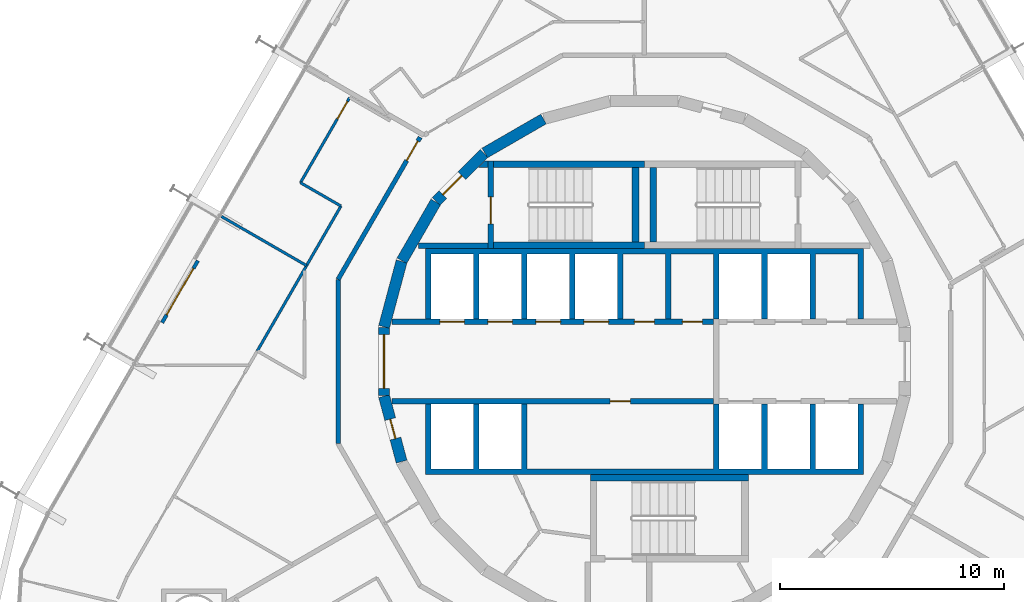
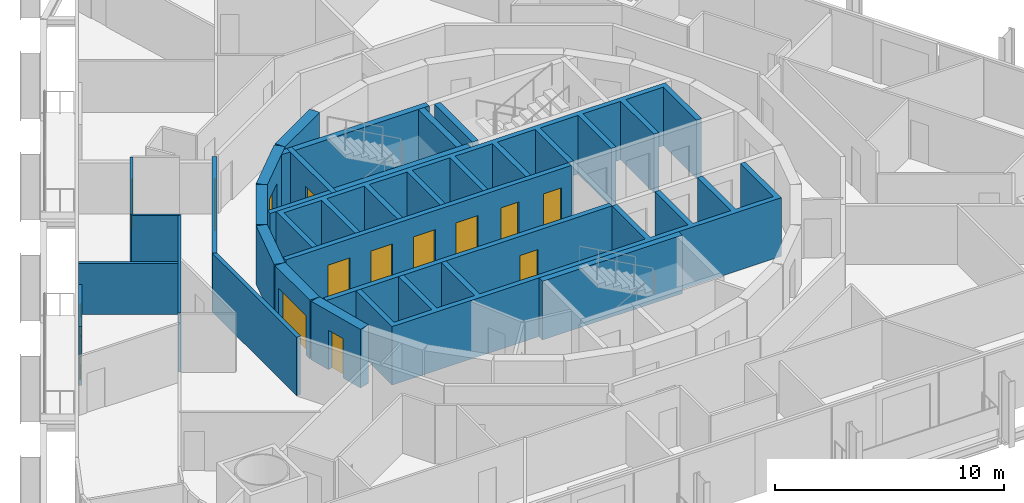
# One storey, part 14 of 19: 25 walls, 14 doors, 14 openings.
"""IFC4 building model written with IfcOpenShell, lengths in metres."""

from ifc_helpers import new_model, si_unit, direction, frame, frame_2d, origin, place, context, subcontext, project, spatial, polyline, rectangle, outline, extrude, material, layer, layer_set, type_object, element, fill, save


model = new_model("IFC4")

# Units and contexts
model_context = context("Model", 3, precision=1e-05, world=origin(), true_north=direction((0.0, 1.0)))
body_context = subcontext(model_context, "Body", "Model", "MODEL_VIEW")
ifc_project = project(units=[si_unit("LENGTHUNIT", "METRE"), si_unit("AREAUNIT", "SQUARE_METRE"), si_unit("VOLUMEUNIT", "CUBIC_METRE"), si_unit("PLANEANGLEUNIT", "RADIAN"), si_unit("MASSUNIT", "GRAM", prefix="KILO")], contexts=[model_context])

# Site, building, storey
site_placement = place(None, origin())
site = spatial("IfcSite", under=ifc_project, at=site_placement, CompositionType="ELEMENT")
building_placement = place(site_placement, origin())
building = spatial("IfcBuilding", under=site, at=building_placement, Name="Spindle Arch Residences", CompositionType="ELEMENT")
storey_placement = place(building_placement, frame((0.0, 0.0, 45.39990234375)))
storey = spatial("IfcBuildingStorey", under=building, at=storey_placement, Name="L09", CompositionType="ELEMENT", Elevation=45.39990234375)

# Wall
ifc_material_1 = material(Name="Concrete C50/60", Category="concrete")
ifc_layer_1 = layer(ifc_material_1, 0.5)
ifc_layer_set_1 = layer_set([ifc_layer_1], Name="Core outline wall 500")
wall_type_1 = type_object("IfcWallType", Name="Core outline wall 500", PredefinedType="SHEAR", material=ifc_layer_set_1)
wall_1_placement = place(storey_placement, frame((-4.510498046875, 10.84521484375, 0.0), z_axis=(0.0, 0.0, 1.0), x_axis=(-0.865975092491, -0.500087131594, 0.0)))
element("IfcWall", 1, at=wall_1_placement, inside=storey, type_object=wall_type_1, Name="Core outline wall 14", PredefinedType="SHEAR", context=body_context, shape_type="SweptSolid", body=[
    extrude(rectangle(XDim=3.03271484375, YDim=0.5, at=frame_2d((1.516357421875, 0.0))), origin(), (0.0, 0.0, 1.0), 3.1201171875),
])

# Wall, opening, door
wall_2_placement = place(storey_placement, frame((-7.163818359375, 9.30810546875, 0.0), z_axis=(0.0, 0.0, 1.0), x_axis=(-0.707106781187, -0.707106781187, 0.0)))
wall_2 = element("IfcWall", 2, at=wall_2_placement, inside=storey, type_object=wall_type_1, Name="Core outline wall 15", PredefinedType="SHEAR", context=body_context, shape_type="SweptSolid", body=[
    extrude(rectangle(XDim=3.032470703125, YDim=0.5, at=frame_2d((1.51611328125, 0.0))), origin(), (0.0, 0.0, 1.0), 3.1201171875),
])
opening_1_placement = place(wall_2_placement, frame((1.416259765625, 0.0, 0.0)))
opening_1 = element("IfcOpeningElement", 3, at=opening_1_placement, cuts=wall_2, Name="Opening R1A0-AD02", PredefinedType="OPENING", context=body_context, shape_type="SweptSolid", body=[
    extrude(rectangle(XDim=1.199951171875, YDim=2.10009765625, at=frame_2d((0.60009765625, 1.050048828125))), frame((0.0, 0.260009765625, 0.0), z_axis=(0.0, -1.0, 0.0), x_axis=(1.0, 0.0, 0.0)), (0.0, 0.0, 1.0), 0.52001953125),
])
ifc_material_2 = material(Name="Steel, fire-resisting door", Category="steel")
door_type_1 = type_object("IfcDoorType", Name="Stair airlock door 1200x2100", OperationType="SINGLE_SWING_LEFT", PredefinedType="DOOR", material=ifc_material_2)
door_1_placement = place(opening_1_placement, origin())
door_1 = element("IfcDoor", 4, at=door_1_placement, inside=storey, type_object=door_type_1, Name="Stair airlock door R1A0-AD02", OperationType="SINGLE_SWING_RIGHT", OverallHeight=2.10009765625, OverallWidth=1.199951171875, PredefinedType="DOOR", context=body_context, shape_type="SweptSolid", body=[
    extrude(rectangle(XDim=1.199951171875, YDim=2.10009765625, at=frame_2d((0.60009765625, 1.050048828125))), frame((0.0, 0.02490234375, 0.0), z_axis=(0.0, -1.0, 0.0), x_axis=(1.0, 0.0, 0.0)), (0.0, 0.0, 1.0), 0.050048828125),
])
fill(opening_1, door_1)

# Walls
for number, where, z_axis, x_axis, name in (
    (5, (-9.32861328125, 7.13671875, 0.0), (0.0, 0.0, 1.0), (-0.500087131594, -0.865975092491, 0.0), "Core outline wall 16"),
    (6, (-10.858154296875, 4.479248046875, 0.0), (0.0, 0.0, 1.0), (-0.258734743916, -0.965948410781, 0.0), "Core outline wall 17"),
):
    element("IfcWall", number, at=place(storey_placement, frame(where, z_axis=z_axis, x_axis=x_axis)), inside=storey, type_object=wall_type_1, Name=name, PredefinedType="SHEAR", context=body_context, shape_type="SweptSolid", body=[
        extrude(rectangle(XDim=3.03271484375, YDim=0.5, at=frame_2d((1.516357421875, 0.0))), origin(), (0.0, 0.0, 1.0), 3.1201171875),
    ])

# Wall, opening, door
wall_3_placement = place(storey_placement, frame((-11.647216796875, 1.516357421875, 0.0), z_axis=(0.0, 0.0, 1.0), x_axis=(0.0, -1.0, 0.0)))
wall_3 = element("IfcWall", 7, at=wall_3_placement, inside=storey, type_object=wall_type_1, Name="Core outline wall 18", PredefinedType="SHEAR", context=body_context, shape_type="SweptSolid", body=[
    extrude(rectangle(XDim=3.03271484375, YDim=0.5, at=frame_2d((1.516357421875, 0.0))), origin(), (0.0, 0.0, 1.0), 3.1201171875),
])
opening_2_placement = place(wall_3_placement, frame((0.31640625, 0.0, 0.0)))
opening_2 = element("IfcOpeningElement", 8, at=opening_2_placement, cuts=wall_3, Name="Opening R1A0-LE01", PredefinedType="OPENING", context=body_context, shape_type="SweptSolid", body=[
    extrude(rectangle(XDim=2.39990234375, YDim=2.10009765625, at=frame_2d((1.199951171875, 1.050048828125))), frame((0.0, 0.260009765625, 0.0), z_axis=(0.0, -1.0, 0.0), x_axis=(1.0, 0.0, 0.0)), (0.0, 0.0, 1.0), 0.52001953125),
])
ifc_material_3 = material(Name="Steel, fire-resisting door", Category="steel")
door_type_2 = type_object("IfcDoorType", Name="Lift lobby entrance door 2400x2100", OperationType="DOUBLE_DOOR_SINGLE_SWING", PredefinedType="DOOR", material=ifc_material_3)
door_2_placement = place(opening_2_placement, origin())
door_2 = element("IfcDoor", 9, at=door_2_placement, inside=storey, type_object=door_type_2, Name="Lift lobby entrance door R1A0-LE01", OperationType="DOUBLE_DOOR_SINGLE_SWING", OverallHeight=2.10009765625, OverallWidth=2.39990234375, PredefinedType="DOOR", context=body_context, shape_type="SweptSolid", body=[
    extrude(rectangle(XDim=2.39990234375, YDim=2.10009765625, at=frame_2d((1.199951171875, 1.050048828125))), frame((0.0, 0.02490234375, 0.0), z_axis=(0.0, -1.0, 0.0), x_axis=(1.0, 0.0, 0.0)), (0.0, 0.0, 1.0), 0.050048828125),
])
fill(opening_2, door_2)

wall_4_placement = place(storey_placement, frame((-11.642822265625, -1.5498046875, 0.0), z_axis=(0.0, 0.0, 1.0), x_axis=(0.258734743916, -0.965948410781, 0.0)))
wall_4 = element("IfcWall", 10, at=wall_4_placement, inside=storey, type_object=wall_type_1, Name="Core outline wall 19", PredefinedType="SHEAR", context=body_context, shape_type="SweptSolid", body=[
    extrude(rectangle(XDim=3.03271484375, YDim=0.5, at=frame_2d((1.516357421875, 0.0))), origin(), (0.0, 0.0, 1.0), 3.1201171875),
])
opening_3_placement = place(wall_4_placement, frame((1.06640625, 0.0, 0.0)))
opening_3 = element("IfcOpeningElement", 11, at=opening_3_placement, cuts=wall_4, Name="Opening R1A0-WD09", PredefinedType="OPENING", context=body_context, shape_type="SweptSolid", body=[
    extrude(rectangle(XDim=0.89990234375, YDim=2.10009765625, at=frame_2d((0.449951171875, 1.050048828125))), frame((0.0, 0.260009765625, 0.0), z_axis=(0.0, -1.0, 0.0), x_axis=(1.0, 0.0, 0.0)), (0.0, 0.0, 1.0), 0.52001953125),
])
ifc_material_4 = material(Name="Steel, fire-resisting door", Category="steel")
door_type_3 = type_object("IfcDoorType", Name="Service room door 900x2100", OperationType="SINGLE_SWING_LEFT", PredefinedType="DOOR", material=ifc_material_4)
door_3_placement = place(opening_3_placement, origin())
door_3 = element("IfcDoor", 12, at=door_3_placement, inside=storey, type_object=door_type_3, Name="Service room door R1A0-WD09", OperationType="SINGLE_SWING_RIGHT", OverallHeight=2.10009765625, OverallWidth=0.89990234375, PredefinedType="DOOR", context=body_context, shape_type="SweptSolid", body=[
    extrude(rectangle(XDim=0.89990234375, YDim=2.10009765625, at=frame_2d((0.449951171875, 1.050048828125))), frame((0.0, 0.02490234375, 0.0), z_axis=(0.0, -1.0, 0.0), x_axis=(1.0, 0.0, 0.0)), (0.0, 0.0, 1.0), 0.050048828125),
])
fill(opening_3, door_3)

ifc_material_5 = material(Name="Calcium silicate block, plastered")
ifc_layer_2 = layer(ifc_material_5, 0.199951171875)
ifc_layer_set_2 = layer_set([ifc_layer_2], Name="Corridor wall 200")
wall_type_2 = type_object("IfcWallType", Name="Corridor wall 200", PredefinedType="STANDARD", material=ifc_layer_set_2)
wall_5_placement = place(storey_placement, frame((-10.029052734375, 10.029052734375, 0.0), z_axis=(0.0, 0.0, 1.0), x_axis=(-0.500001669485, -0.866024439905, 0.0)))
wall_5 = element("IfcWall", 13, at=wall_5_placement, inside=storey, type_object=wall_type_2, Name="Corridor wall R1A0-W010", PredefinedType="STANDARD", context=body_context, shape_type="SweptSolid", body=[
    extrude(rectangle(XDim=7.341796875, YDim=0.199951171875, at=frame_2d((3.6708984375, 0.0))), origin(), (0.0, 0.0, 1.0), 3.1201171875),
])
opening_4_placement = place(wall_5_placement, frame((0.199951171875, 0.0, 0.0)))
opening_4 = element("IfcOpeningElement", 14, at=opening_4_placement, cuts=wall_5, Name="Opening R1A0-FD03", PredefinedType="OPENING", context=body_context, shape_type="SweptSolid", body=[
    extrude(rectangle(XDim=1.0, YDim=2.10009765625, at=frame_2d((0.5, 1.050048828125))), frame((0.0, 0.10986328125, 0.0), z_axis=(0.0, -1.0, 0.0), x_axis=(1.0, 0.0, 0.0)), (0.0, 0.0, 1.0), 0.219970703125),
])
ifc_material_6 = material(Name="Timber, fire-resisting door set", Category="wood")
door_type_4 = type_object("IfcDoorType", Name="Flat entrance door 1000x2100", OperationType="NOTDEFINED", PredefinedType="DOOR", material=ifc_material_6)
door_4_placement = place(opening_4_placement, origin())
door_4 = element("IfcDoor", 15, at=door_4_placement, inside=storey, type_object=door_type_4, Name="Flat entrance door R1A0-FD03", OperationType="SINGLE_SWING_LEFT", OverallHeight=2.10009765625, OverallWidth=1.0, PredefinedType="DOOR", context=body_context, shape_type="SweptSolid", body=[
    extrude(rectangle(XDim=1.0, YDim=2.10009765625, at=frame_2d((0.5, 1.050048828125))), frame((0.0, 0.02490234375, 0.0), z_axis=(0.0, -1.0, 0.0), x_axis=(1.0, 0.0, 0.0)), (0.0, 0.0, 1.0), 0.050048828125),
])
fill(opening_4, door_4)

# Wall
wall_6_placement = place(storey_placement, frame((-13.699951171875, 3.6708984375, 0.0), z_axis=(0.0, 0.0, 1.0), x_axis=(0.0, -1.0, 0.0)))
element("IfcWall", 16, at=wall_6_placement, inside=storey, type_object=wall_type_2, Name="Corridor wall R1A0-W011", PredefinedType="STANDARD", context=body_context, shape_type="SweptSolid", body=[
    extrude(rectangle(XDim=7.341796875, YDim=0.199951171875, at=frame_2d((3.6708984375, 0.0))), origin(), (0.0, 0.0, 1.0), 3.1201171875),
])

# Wall, opening, door
ifc_material_7 = material(Name="Plasterboard on steel studs", Category="steel")
ifc_layer_3 = layer(ifc_material_7, 0.1201171875)
ifc_layer_set_3 = layer_set([ifc_layer_3], Name="Flat partition 120")
wall_type_3 = type_object("IfcWallType", Name="Flat partition 120", PredefinedType="PARTITIONING", material=ifc_layer_set_3)
wall_7_placement = place(storey_placement, frame((-13.181396484375, 11.807861328125, 0.0), z_axis=(0.0, 0.0, 1.0), x_axis=(-0.50002983664, -0.866008176907, 0.0)))
wall_7 = element("IfcWall", 17, at=wall_7_placement, inside=storey, type_object=wall_type_3, Name="Flat partition R1A0-W057", PredefinedType="PARTITIONING", context=body_context, shape_type="SweptSolid", body=[
    extrude(rectangle(XDim=4.400146484375, YDim=0.1201171875, at=frame_2d((2.2001953125, 0.0))), origin(), (0.0, 0.0, 1.0), 3.1201171875),
])
opening_5_placement = place(wall_7_placement, frame((0.199951171875, 0.0, 0.0)))
opening_5 = element("IfcOpeningElement", 18, at=opening_5_placement, cuts=wall_7, Name="Opening R1A0-ID12", PredefinedType="OPENING", context=body_context, shape_type="SweptSolid", body=[
    extrude(rectangle(XDim=0.89990234375, YDim=2.10009765625, at=frame_2d((0.449951171875, 1.050048828125))), frame((0.0, 0.070068359375, 0.0), z_axis=(0.0, -1.0, 0.0), x_axis=(1.0, 0.0, 0.0)), (0.0, 0.0, 1.0), 0.14013671875),
])
ifc_material_8 = material(Name="Timber door set", Category="wood")
door_type_5 = type_object("IfcDoorType", Name="Room door 900x2100", OperationType="NOTDEFINED", PredefinedType="DOOR", material=ifc_material_8)
door_5_placement = place(opening_5_placement, origin())
door_5 = element("IfcDoor", 19, at=door_5_placement, inside=storey, type_object=door_type_5, Name="Room door R1A0-ID12", OperationType="SINGLE_SWING_LEFT", OverallHeight=2.10009765625, OverallWidth=0.89990234375, PredefinedType="DOOR", context=body_context, shape_type="SweptSolid", body=[
    extrude(rectangle(XDim=0.89990234375, YDim=2.10009765625, at=frame_2d((0.449951171875, 1.050048828125))), frame((0.0, 0.02490234375, 0.0), z_axis=(0.0, -1.0, 0.0), x_axis=(1.0, 0.0, 0.0)), (0.0, 0.0, 1.0), 0.050048828125),
])
fill(opening_5, door_5)

# Walls
wall_8_placement = place(storey_placement, frame((-15.381591796875, 7.997314453125, 0.0), z_axis=(0.0, 0.0, 1.0), x_axis=(0.866041603473, -0.499971940267, 0.0)))
element("IfcWall", 20, at=wall_8_placement, inside=storey, type_object=wall_type_3, Name="Flat partition R1A0-W058", PredefinedType="PARTITIONING", context=body_context, shape_type="SweptSolid", body=[
    extrude(rectangle(XDim=2.08935546875, YDim=0.1201171875, at=frame_2d((1.044677734375, 0.0))), origin(), (0.0, 0.0, 1.0), 3.1201171875),
])
wall_9_placement = place(storey_placement, frame((-13.572021484375, 6.95263671875, 0.0), z_axis=(0.0, 0.0, 1.0), x_axis=(-0.499981332661, -0.866036181109, 0.0)))
element("IfcWall", 21, at=wall_9_placement, inside=storey, type_object=wall_type_3, Name="Flat partition R1A0-W059", PredefinedType="PARTITIONING", context=body_context, shape_type="SweptSolid", body=[
    extrude(rectangle(XDim=7.483154296875, YDim=0.1201171875, at=frame_2d((3.74169921875, 0.0))), origin(), (0.0, 0.0, 1.0), 3.1201171875),
])
ifc_material_9 = material(Name="Plasterboard on steel studs", Category="steel")
ifc_layer_4 = layer(ifc_material_9, 0.1201171875)
ifc_layer_set_4 = layer_set([ifc_layer_4], Name="Flat partition 120 under beam 2730")
wall_type_4 = type_object("IfcWallType", Name="Flat partition 120 under beam 2730", PredefinedType="PARTITIONING", material=ifc_layer_set_4)
wall_10_placement = place(storey_placement, frame((-18.919921875, 6.489501953125, 0.0), z_axis=(0.0, 0.0, 1.0), x_axis=(0.865994303029, -0.500053864221, 0.0)))
element("IfcWall", 22, at=wall_10_placement, inside=storey, type_object=wall_type_4, Name="Flat partition R1A0-W064", PredefinedType="PARTITIONING", context=body_context, shape_type="SweptSolid", body=[
    extrude(rectangle(XDim=4.39990234375, YDim=0.1201171875, at=frame_2d((2.199951171875, 0.0))), origin(), (0.0, 0.0, 1.0), 2.72998046875),
])

# Wall, opening, door
ifc_material_10 = material(Name="Non-combustible mineral wool insulated aluminium faced external wall (K0)", Category="aluminium")
ifc_layer_5 = layer(ifc_material_10, 0.159912109375)
ifc_layer_set_5 = layer_set([ifc_layer_5], Name="Insulated external wall panel 160")
wall_type_5 = type_object("IfcWallType", Name="Insulated external wall panel 160", PredefinedType="STANDARD", material=ifc_layer_set_5)
wall_11_placement = place(storey_placement, frame((-19.970703125, 4.509521484375, 0.0), z_axis=(0.0, 0.0, 1.0), x_axis=(-0.500028443584, -0.866008981251, 0.0)))
wall_11 = element("IfcWall", 23, at=wall_11_placement, inside=storey, type_object=wall_type_5, Name="External wall L09 bay 17", PredefinedType="STANDARD", context=body_context, shape_type="SweptSolid", body=[
    extrude(rectangle(XDim=3.199951171875, YDim=0.159912109375, at=frame_2d((1.60009765625, 0.0))), origin(), (0.0, 0.0, 1.0), 3.1201171875),
])
opening_6_placement = place(wall_11_placement, frame((0.39990234375, 0.0, 0.0)))
opening_6 = element("IfcOpeningElement", 24, at=opening_6_placement, cuts=wall_11, Name="Opening BD17", PredefinedType="OPENING", context=body_context, shape_type="SweptSolid", body=[
    extrude(rectangle(XDim=2.39990234375, YDim=2.39990234375, at=frame_2d((1.199951171875, 1.199951171875))), frame((0.0, 0.08984375, 0.0), z_axis=(0.0, -1.0, 0.0), x_axis=(1.0, 0.0, 0.0)), (0.0, 0.0, 1.0), 0.179931640625),
])
ifc_material_11 = material(Name="Bronze aluminium frame, tinted double glazing", Category="aluminium")
door_type_6 = type_object("IfcDoorType", Name="Sliding glazed balcony door 2400x2400", OperationType="DOUBLE_DOOR_SLIDING", PredefinedType="DOOR", material=ifc_material_11)
door_6_placement = place(opening_6_placement, origin())
door_6 = element("IfcDoor", 25, at=door_6_placement, inside=storey, type_object=door_type_6, Name="Balcony door BD17", OperationType="DOUBLE_DOOR_SLIDING", OverallHeight=2.39990234375, OverallWidth=2.39990234375, PredefinedType="DOOR", context=body_context, shape_type="SweptSolid", body=[
    extrude(rectangle(XDim=2.39990234375, YDim=2.39990234375, at=frame_2d((1.199951171875, 1.199951171875))), frame((0.0, 0.02490234375, 0.0), z_axis=(0.0, -1.0, 0.0), x_axis=(1.0, 0.0, 0.0)), (0.0, 0.0, 1.0), 0.050048828125),
])
fill(opening_6, door_6)

# Wall, openings, doors
ifc_material_12 = material(Name="Concrete C50/60", Category="concrete")
ifc_layer_6 = layer(ifc_material_12, 0.25)
ifc_layer_set_6 = layer_set([ifc_layer_6], Name="Lift shaft wall 250")
wall_type_6 = type_object("IfcWallType", Name="Lift shaft wall 250", PredefinedType="SHEAR", material=ifc_layer_set_6)
wall_12_placement = place(storey_placement, frame((-11.280029296875, 1.77490234375, 0.0), z_axis=(0.0, 0.0, 1.0), x_axis=(1.0, 0.0, 0.0)))
wall_12 = element("IfcWall", 26, at=wall_12_placement, inside=storey, type_object=wall_type_6, Name="Lift shaft front wall NW", PredefinedType="SHEAR", context=body_context, shape_type="SweptSolid", body=[
    extrude(rectangle(XDim=14.380126953125, YDim=0.25, at=frame_2d((7.18994140625, 0.0))), origin(), (0.0, 0.0, 1.0), 3.1201171875),
])
opening_7_placement = place(wall_12_placement, frame((2.1298828125, 0.0, 0.0)))
opening_7 = element("IfcOpeningElement", 27, at=opening_7_placement, cuts=wall_12, Name="Opening R1A0-LD01", PredefinedType="OPENING", context=body_context, shape_type="SweptSolid", body=[
    extrude(rectangle(XDim=1.10009765625, YDim=2.10009765625, at=frame_2d((0.550048828125, 1.050048828125))), frame((0.0, 0.135009765625, 0.0), z_axis=(0.0, -1.0, 0.0), x_axis=(1.0, 0.0, 0.0)), (0.0, 0.0, 1.0), 0.27001953125),
])
opening_8_placement = place(wall_12_placement, frame((4.280029296875, 0.0, 0.0)))
opening_8 = element("IfcOpeningElement", 28, at=opening_8_placement, cuts=wall_12, Name="Opening R1A0-LD02", PredefinedType="OPENING", context=body_context, shape_type="SweptSolid", body=[
    extrude(rectangle(XDim=1.10009765625, YDim=2.10009765625, at=frame_2d((0.550048828125, 1.050048828125))), frame((0.0, 0.135009765625, 0.0), z_axis=(0.0, -1.0, 0.0), x_axis=(1.0, 0.0, 0.0)), (0.0, 0.0, 1.0), 0.27001953125),
])
opening_9_placement = place(wall_12_placement, frame((6.429931640625, 0.0, 0.0)))
opening_9 = element("IfcOpeningElement", 29, at=opening_9_placement, cuts=wall_12, Name="Opening R1A0-LD03", PredefinedType="OPENING", context=body_context, shape_type="SweptSolid", body=[
    extrude(rectangle(XDim=1.10009765625, YDim=2.10009765625, at=frame_2d((0.550048828125, 1.050048828125))), frame((0.0, 0.135009765625, 0.0), z_axis=(0.0, -1.0, 0.0), x_axis=(1.0, 0.0, 0.0)), (0.0, 0.0, 1.0), 0.27001953125),
])
opening_10_placement = place(wall_12_placement, frame((8.580078125, 0.0, 0.0)))
opening_10 = element("IfcOpeningElement", 30, at=opening_10_placement, cuts=wall_12, Name="Opening R1A0-LD04", PredefinedType="OPENING", context=body_context, shape_type="SweptSolid", body=[
    extrude(rectangle(XDim=1.10009765625, YDim=2.10009765625, at=frame_2d((0.550048828125, 1.050048828125))), frame((0.0, 0.135009765625, 0.0), z_axis=(0.0, -1.0, 0.0), x_axis=(1.0, 0.0, 0.0)), (0.0, 0.0, 1.0), 0.27001953125),
])
opening_11_placement = place(wall_12_placement, frame((10.830078125, 0.0, 0.0)))
opening_11 = element("IfcOpeningElement", 31, at=opening_11_placement, cuts=wall_12, Name="Opening R1A0-WD01", PredefinedType="OPENING", context=body_context, shape_type="SweptSolid", body=[
    extrude(rectangle(XDim=0.89990234375, YDim=2.10009765625, at=frame_2d((0.449951171875, 1.050048828125))), frame((0.0, 0.135009765625, 0.0), z_axis=(0.0, -1.0, 0.0), x_axis=(1.0, 0.0, 0.0)), (0.0, 0.0, 1.0), 0.27001953125),
])
opening_12_placement = place(wall_12_placement, frame((12.97998046875, 0.0, 0.0)))
opening_12 = element("IfcOpeningElement", 32, at=opening_12_placement, cuts=wall_12, Name="Opening R1A0-WD02", PredefinedType="OPENING", context=body_context, shape_type="SweptSolid", body=[
    extrude(rectangle(XDim=0.89990234375, YDim=2.10009765625, at=frame_2d((0.449951171875, 1.050048828125))), frame((0.0, 0.135009765625, 0.0), z_axis=(0.0, -1.0, 0.0), x_axis=(1.0, 0.0, 0.0)), (0.0, 0.0, 1.0), 0.27001953125),
])
ifc_material_13 = material(Name="Steel, fire-resisting landing door", Category="steel")
door_type_7 = type_object("IfcDoorType", Name="Lift landing door 1100x2100", OperationType="DOUBLE_DOOR_SLIDING", PredefinedType="DOOR", material=ifc_material_13)
door_7_placement = place(opening_7_placement, origin())
door_7 = element("IfcDoor", 33, at=door_7_placement, inside=storey, type_object=door_type_7, Name="Lift landing door R1A0-LD01", OperationType="DOUBLE_DOOR_SLIDING", OverallHeight=2.10009765625, OverallWidth=1.10009765625, PredefinedType="DOOR", context=body_context, shape_type="SweptSolid", body=[
    extrude(rectangle(XDim=1.10009765625, YDim=2.10009765625, at=frame_2d((0.550048828125, 1.050048828125))), frame((0.0, 0.02490234375, 0.0), z_axis=(0.0, -1.0, 0.0), x_axis=(1.0, 0.0, 0.0)), (0.0, 0.0, 1.0), 0.050048828125),
])
fill(opening_7, door_7)
door_8_placement = place(opening_8_placement, origin())
door_8 = element("IfcDoor", 34, at=door_8_placement, inside=storey, type_object=door_type_7, Name="Lift landing door R1A0-LD02", OperationType="DOUBLE_DOOR_SLIDING", OverallHeight=2.10009765625, OverallWidth=1.10009765625, PredefinedType="DOOR", context=body_context, shape_type="SweptSolid", body=[
    extrude(rectangle(XDim=1.10009765625, YDim=2.10009765625, at=frame_2d((0.550048828125, 1.050048828125))), frame((0.0, 0.02490234375, 0.0), z_axis=(0.0, -1.0, 0.0), x_axis=(1.0, 0.0, 0.0)), (0.0, 0.0, 1.0), 0.050048828125),
])
fill(opening_8, door_8)
door_9_placement = place(opening_9_placement, origin())
door_9 = element("IfcDoor", 35, at=door_9_placement, inside=storey, type_object=door_type_7, Name="Lift landing door R1A0-LD03", OperationType="DOUBLE_DOOR_SLIDING", OverallHeight=2.10009765625, OverallWidth=1.10009765625, PredefinedType="DOOR", context=body_context, shape_type="SweptSolid", body=[
    extrude(rectangle(XDim=1.10009765625, YDim=2.10009765625, at=frame_2d((0.550048828125, 1.050048828125))), frame((0.0, 0.02490234375, 0.0), z_axis=(0.0, -1.0, 0.0), x_axis=(1.0, 0.0, 0.0)), (0.0, 0.0, 1.0), 0.050048828125),
])
fill(opening_9, door_9)
door_10_placement = place(opening_10_placement, origin())
door_10 = element("IfcDoor", 36, at=door_10_placement, inside=storey, type_object=door_type_7, Name="Lift landing door R1A0-LD04", OperationType="DOUBLE_DOOR_SLIDING", OverallHeight=2.10009765625, OverallWidth=1.10009765625, PredefinedType="DOOR", context=body_context, shape_type="SweptSolid", body=[
    extrude(rectangle(XDim=1.10009765625, YDim=2.10009765625, at=frame_2d((0.550048828125, 1.050048828125))), frame((0.0, 0.02490234375, 0.0), z_axis=(0.0, -1.0, 0.0), x_axis=(1.0, 0.0, 0.0)), (0.0, 0.0, 1.0), 0.050048828125),
])
fill(opening_10, door_10)
door_11_placement = place(opening_11_placement, origin())
door_11 = element("IfcDoor", 37, at=door_11_placement, inside=storey, type_object=door_type_3, Name="Service room door R1A0-WD01", OperationType="SINGLE_SWING_RIGHT", OverallHeight=2.10009765625, OverallWidth=0.89990234375, PredefinedType="DOOR", context=body_context, shape_type="SweptSolid", body=[
    extrude(rectangle(XDim=0.89990234375, YDim=2.10009765625, at=frame_2d((0.449951171875, 1.050048828125))), frame((0.0, 0.02490234375, 0.0), z_axis=(0.0, -1.0, 0.0), x_axis=(1.0, 0.0, 0.0)), (0.0, 0.0, 1.0), 0.050048828125),
])
fill(opening_11, door_11)
door_12_placement = place(opening_12_placement, origin())
door_12 = element("IfcDoor", 38, at=door_12_placement, inside=storey, type_object=door_type_3, Name="Service room door R1A0-WD02", OperationType="SINGLE_SWING_LEFT", OverallHeight=2.10009765625, OverallWidth=0.89990234375, PredefinedType="DOOR", context=body_context, shape_type="SweptSolid", body=[
    extrude(rectangle(XDim=0.89990234375, YDim=2.10009765625, at=frame_2d((0.449951171875, 1.050048828125))), frame((0.0, 0.02490234375, 0.0), z_axis=(0.0, -1.0, 0.0), x_axis=(1.0, 0.0, 0.0)), (0.0, 0.0, 1.0), 0.050048828125),
])
fill(opening_12, door_12)

# Wall, opening, door
wall_13_placement = place(storey_placement, frame((-11.280029296875, -1.77490234375, 0.0), z_axis=(0.0, 0.0, 1.0), x_axis=(1.0, 0.0, 0.0)))
wall_13 = element("IfcWall", 39, at=wall_13_placement, inside=storey, type_object=wall_type_6, Name="Lift shaft front wall SW", PredefinedType="SHEAR", context=body_context, shape_type="SweptSolid", body=[
    extrude(rectangle(XDim=14.380126953125, YDim=0.25, at=frame_2d((7.18994140625, 0.0))), origin(), (0.0, 0.0, 1.0), 3.1201171875),
])
opening_13_placement = place(wall_13_placement, frame((9.7548828125, 0.0, 0.0)))
opening_13 = element("IfcOpeningElement", 40, at=opening_13_placement, cuts=wall_13, Name="Opening R1A0-WD04", PredefinedType="OPENING", context=body_context, shape_type="SweptSolid", body=[
    extrude(rectangle(XDim=0.89990234375, YDim=2.10009765625, at=frame_2d((0.449951171875, 1.050048828125))), frame((0.0, 0.135009765625, 0.0), z_axis=(0.0, -1.0, 0.0), x_axis=(1.0, 0.0, 0.0)), (0.0, 0.0, 1.0), 0.27001953125),
])
door_13_placement = place(opening_13_placement, origin())
door_13 = element("IfcDoor", 41, at=door_13_placement, inside=storey, type_object=door_type_3, Name="Service room door R1A0-WD04", OperationType="SINGLE_SWING_LEFT", OverallHeight=2.10009765625, OverallWidth=0.89990234375, PredefinedType="DOOR", context=body_context, shape_type="SweptSolid", body=[
    extrude(rectangle(XDim=0.89990234375, YDim=2.10009765625, at=frame_2d((0.449951171875, 1.050048828125))), frame((0.0, 0.02490234375, 0.0), z_axis=(0.0, -1.0, 0.0), x_axis=(1.0, 0.0, 0.0)), (0.0, 0.0, 1.0), 0.050048828125),
])
fill(opening_13, door_13)

# Walls
ifc_material_14 = material(Name="Concrete C50/60", Category="concrete")
wall_type_7 = type_object("IfcWallType", Name="Lift shaft wall profile", PredefinedType="SHEAR", material=ifc_material_14)
wall_14_placement = place(storey_placement, origin())
element("IfcWall", 42, at=wall_14_placement, inside=storey, type_object=wall_type_7, Name="Lift shaft walls N", PredefinedType="SHEAR", context=body_context, shape_type="SweptSolid", body=[
    extrude(outline(polyline([(-9.550048828125, 4.800048828125), (-7.64990234375, 4.800048828125), (-7.64990234375, 1.89990234375), (-7.39990234375, 1.89990234375), (-7.39990234375, 4.800048828125), (-5.5, 4.800048828125), (-5.5, 1.89990234375), (-5.25, 1.89990234375), (-5.25, 4.800048828125), (-3.35009765625, 4.800048828125), (-3.35009765625, 1.89990234375), (-3.10009765625, 1.89990234375), (-3.10009765625, 4.800048828125), (-1.199951171875, 4.800048828125), (-1.199951171875, 1.89990234375), (-0.949951171875, 1.89990234375), (-0.949951171875, 4.800048828125), (0.949951171875, 4.800048828125), (0.949951171875, 1.89990234375), (1.199951171875, 1.89990234375), (1.199951171875, 4.800048828125), (3.10009765625, 4.800048828125), (3.10009765625, 1.89990234375), (3.35009765625, 1.89990234375), (3.35009765625, 4.800048828125), (5.25, 4.800048828125), (5.25, 1.89990234375), (5.5, 1.89990234375), (5.5, 4.800048828125), (7.39990234375, 4.800048828125), (7.39990234375, 1.89990234375), (7.64990234375, 1.89990234375), (7.64990234375, 4.800048828125), (9.550048828125, 4.800048828125), (9.550048828125, 1.89990234375), (9.800048828125, 1.89990234375), (9.800048828125, 4.800048828125), (9.800048828125, 5.050048828125), (-9.800048828125, 5.050048828125), (-9.800048828125, 4.800048828125), (-9.800048828125, 1.89990234375), (-9.550048828125, 1.89990234375), (-9.550048828125, 4.800048828125)])), origin(), (0.0, 0.0, 1.0), 3.1201171875),
])
wall_15_placement = place(storey_placement, origin())
element("IfcWall", 43, at=wall_15_placement, inside=storey, type_object=wall_type_7, Name="Lift shaft walls S", PredefinedType="SHEAR", context=body_context, shape_type="SweptSolid", body=[
    extrude(outline(polyline([(9.800048828125, -5.050048828125), (9.800048828125, -4.800048828125), (9.800048828125, -1.89990234375), (9.550048828125, -1.89990234375), (9.550048828125, -4.800048828125), (7.64990234375, -4.800048828125), (7.64990234375, -1.89990234375), (7.39990234375, -1.89990234375), (7.39990234375, -4.800048828125), (5.5, -4.800048828125), (5.5, -1.89990234375), (5.25, -1.89990234375), (5.25, -4.800048828125), (3.35009765625, -4.800048828125), (3.35009765625, -1.89990234375), (3.10009765625, -1.89990234375), (3.10009765625, -4.800048828125), (-5.25, -4.800048828125), (-5.25, -1.89990234375), (-5.5, -1.89990234375), (-5.5, -4.800048828125), (-7.39990234375, -4.800048828125), (-7.39990234375, -1.89990234375), (-7.64990234375, -1.89990234375), (-7.64990234375, -4.800048828125), (-9.550048828125, -4.800048828125), (-9.550048828125, -1.89990234375), (-9.800048828125, -1.89990234375), (-9.800048828125, -4.800048828125), (-9.800048828125, -5.050048828125), (9.800048828125, -5.050048828125)])), origin(), (0.0, 0.0, 1.0), 3.1201171875),
])
ifc_material_15 = material(Name="Concrete C40/50", Category="concrete")
ifc_layer_7 = layer(ifc_material_15, 0.25)
ifc_layer_set_7 = layer_set([ifc_layer_7], Name="Stair airlock wall 250")
wall_type_8 = type_object("IfcWallType", Name="Stair airlock wall 250", PredefinedType="SHEAR", material=ifc_layer_set_7)
wall_16_placement = place(storey_placement, frame((-7.0, 5.175048828125, 0.0), z_axis=(0.0, 0.0, 1.0), x_axis=(-1.0, 0.0, 0.0)))
element("IfcWall", 44, at=wall_16_placement, inside=storey, type_object=wall_type_8, Name="Stair ST-2 airlock wall S", PredefinedType="SHEAR", context=body_context, shape_type="SweptSolid", body=[
    extrude(rectangle(XDim=3.10009765625, YDim=0.25, at=frame_2d((1.550048828125, 0.0))), origin(), (0.0, 0.0, 1.0), 3.1201171875),
])
ifc_material_16 = material(Name="Concrete C40/50", Category="concrete")
wall_type_9 = type_object("IfcWallType", Name="Stair airlock wall profile", PredefinedType="SHEAR", material=ifc_material_16)
wall_17_placement = place(storey_placement, origin())
element("IfcWall", 45, at=wall_17_placement, inside=storey, type_object=wall_type_9, Name="Stair ST-2 airlock wall N", PredefinedType="SHEAR", context=body_context, shape_type="SweptSolid", body=[
    extrude(outline(polyline([(-7.148193359375, 8.969970703125), (-7.0, 8.969970703125), (-7.0, 8.669921875), (-7.4482421875, 8.669921875), (-7.148193359375, 8.969970703125)])), origin(), (0.0, 0.0, 1.0), 3.1201171875),
])

# Wall, opening, door
ifc_material_17 = material(Name="Concrete C50/60", Category="concrete")
ifc_layer_8 = layer(ifc_material_17, 0.25)
ifc_layer_set_8 = layer_set([ifc_layer_8], Name="Stair enclosure wall 250")
wall_type_10 = type_object("IfcWallType", Name="Stair enclosure wall 250", PredefinedType="SHEAR", material=ifc_layer_set_8)
wall_18_placement = place(storey_placement, frame((-6.875, 8.969970703125, 0.0), z_axis=(0.0, 0.0, 1.0), x_axis=(0.0, -1.0, 0.0)))
wall_18 = element("IfcWall", 46, at=wall_18_placement, inside=storey, type_object=wall_type_10, Name="Stair ST-2 door wall", PredefinedType="SHEAR", context=body_context, shape_type="SweptSolid", body=[
    extrude(rectangle(XDim=3.919921875, YDim=0.25, at=frame_2d((1.9599609375, 0.0))), origin(), (0.0, 0.0, 1.0), 3.1201171875),
])
opening_14_placement = place(wall_18_placement, frame((1.610107421875, 0.0, 0.0)))
opening_14 = element("IfcOpeningElement", 47, at=opening_14_placement, cuts=wall_18, Name="Opening R1A0-SD02", PredefinedType="OPENING", context=body_context, shape_type="SweptSolid", body=[
    extrude(rectangle(XDim=1.199951171875, YDim=2.10009765625, at=frame_2d((0.60009765625, 1.050048828125))), frame((0.0, 0.135009765625, 0.0), z_axis=(0.0, -1.0, 0.0), x_axis=(1.0, 0.0, 0.0)), (0.0, 0.0, 1.0), 0.27001953125),
])
ifc_material_18 = material(Name="Steel, fire-resisting door", Category="steel")
door_type_8 = type_object("IfcDoorType", Name="Stair door 1200x2100", OperationType="SINGLE_SWING_RIGHT", PredefinedType="DOOR", material=ifc_material_18)
door_14_placement = place(opening_14_placement, origin())
door_14 = element("IfcDoor", 48, at=door_14_placement, inside=storey, type_object=door_type_8, Name="Stair door R1A0-SD02", OperationType="SINGLE_SWING_LEFT", OverallHeight=2.10009765625, OverallWidth=1.199951171875, PredefinedType="DOOR", context=body_context, shape_type="SweptSolid", body=[
    extrude(rectangle(XDim=1.199951171875, YDim=2.10009765625, at=frame_2d((0.60009765625, 1.050048828125))), frame((0.0, 0.02490234375, 0.0), z_axis=(0.0, -1.0, 0.0), x_axis=(1.0, 0.0, 0.0)), (0.0, 0.0, 1.0), 0.050048828125),
])
fill(opening_14, door_14)

# Walls
ifc_material_19 = material(Name="Concrete C50/60", Category="concrete")
ifc_layer_9 = layer(ifc_material_19, 0.300048828125)
ifc_layer_set_9 = layer_set([ifc_layer_9], Name="Stair enclosure wall 300")
wall_type_11 = type_object("IfcWallType", Name="Stair enclosure wall 300", PredefinedType="SHEAR", material=ifc_layer_set_9)
wall_19_placement = place(storey_placement, frame((0.39990234375, 5.35009765625, 0.0), z_axis=(0.0, 0.0, 1.0), x_axis=(0.0, 1.0, 0.0)))
element("IfcWall", 49, at=wall_19_placement, inside=storey, type_object=wall_type_11, Name="Stair ST-1 enclosure wall F", PredefinedType="SHEAR", context=body_context, shape_type="SweptSolid", body=[
    extrude(rectangle(XDim=3.31982421875, YDim=0.300048828125, at=frame_2d((1.659912109375, 0.0))), origin(), (0.0, 0.0, 1.0), 3.1201171875),
])
for number, where, z_axis, x_axis, name in (
    (50, (-6.75, 5.199951171875, 0.0), (0.0, 0.0, 1.0), (1.0, 0.0, 0.0), "Stair ST-2 enclosure wall S"),
    (51, (-6.75, 8.820068359375, 0.0), (0.0, 0.0, 1.0), (1.0, 0.0, 0.0), "Stair ST-2 enclosure wall N"),
):
    element("IfcWall", number, at=place(storey_placement, frame(where, z_axis=z_axis, x_axis=x_axis)), inside=storey, type_object=wall_type_11, Name=name, PredefinedType="SHEAR", context=body_context, shape_type="SweptSolid", body=[
        extrude(rectangle(XDim=6.75, YDim=0.300048828125, at=frame_2d((3.375, 0.0))), origin(), (0.0, 0.0, 1.0), 3.1201171875),
    ])
wall_20_placement = place(storey_placement, frame((-0.39990234375, 5.35009765625, 0.0), z_axis=(0.0, 0.0, 1.0), x_axis=(0.0, 1.0, 0.0)))
element("IfcWall", 52, at=wall_20_placement, inside=storey, type_object=wall_type_11, Name="Stair ST-2 enclosure wall F", PredefinedType="SHEAR", context=body_context, shape_type="SweptSolid", body=[
    extrude(rectangle(XDim=3.31982421875, YDim=0.300048828125, at=frame_2d((1.659912109375, 0.0))), origin(), (0.0, 0.0, 1.0), 3.1201171875),
])
wall_21_placement = place(storey_placement, frame((-2.39990234375, -5.199951171875, 0.0), z_axis=(0.0, 0.0, 1.0), x_axis=(1.0, 0.0, 0.0)))
element("IfcWall", 53, at=wall_21_placement, inside=storey, type_object=wall_type_11, Name="Stair ST-3 enclosure wall N", PredefinedType="SHEAR", context=body_context, shape_type="SweptSolid", body=[
    extrude(rectangle(XDim=7.0498046875, YDim=0.300048828125, at=frame_2d((3.52490234375, 0.0))), origin(), (0.0, 0.0, 1.0), 3.1201171875),
])

save(model, "model.ifc")
